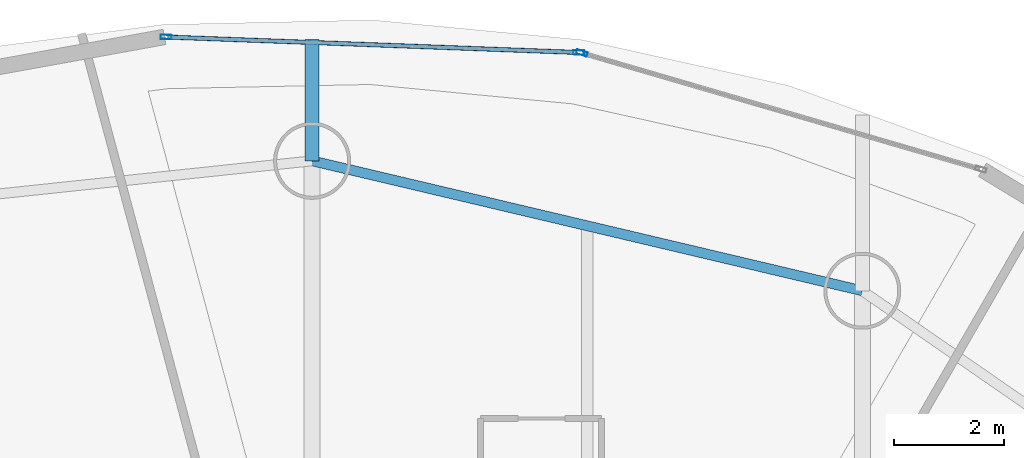
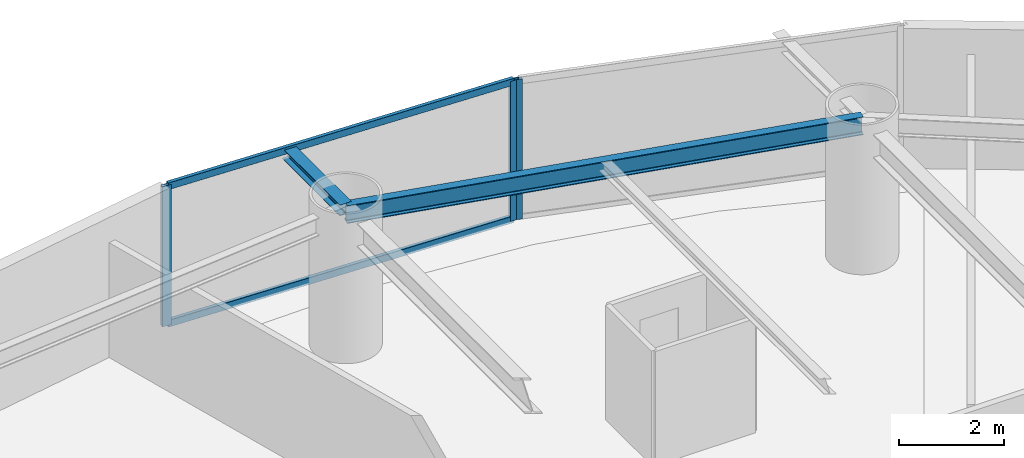
# One storey, part 13 of 22: 5 members, 2 beams, 2 elements without a shape of their own.
"""IFC4 building model written with IfcOpenShell, lengths in metres."""

from ifc_helpers import new_model, si_unit, direction, frame, origin, origin_2d, place, context, subcontext, project, spatial, hollow_rectangle, i_section, extrude, material, layer, layer_set, material_profile, profile_set, type_object, element, aggregate, save


model = new_model("IFC4")

# Units and contexts
model_context = context("Model", 3, precision=1e-05, world=origin(), true_north=direction((0.0, 1.0)))
body_context = subcontext(model_context, "Body", "Model", "MODEL_VIEW")
ifc_project = project(units=[si_unit("LENGTHUNIT", "METRE"), si_unit("AREAUNIT", "SQUARE_METRE"), si_unit("VOLUMEUNIT", "CUBIC_METRE"), si_unit("PLANEANGLEUNIT", "RADIAN"), si_unit("MASSUNIT", "GRAM", prefix="KILO")], contexts=[model_context])

# Site, building, storey
site_placement = place(None, origin())
site = spatial("IfcSite", under=ifc_project, at=site_placement, CompositionType="ELEMENT")
building_placement = place(site_placement, origin())
building = spatial("IfcBuilding", under=site, at=building_placement, Name="Bramvorn Convention Spire", CompositionType="ELEMENT")
storey_placement = place(building_placement, frame((0.0, 0.0, 127.300048828125)))
storey = spatial("IfcBuildingStorey", under=building, at=storey_placement, Name="L31", CompositionType="ELEMENT", Elevation=127.300048828125)

# Beams
ifc_material_1 = material(Name="Steel CSA G40.21 Grade 350 (350W)", Category="steel")
ifc_material_profile_1 = material_profile(ifc_material_1, i_section(OverallWidth=0.25390625, OverallDepth=0.2529296875, WebThickness=0.008544921875, FlangeThickness=0.01416015625, FilletRadius=0.011962890625, at=origin_2d()))
ifc_profile_set_1 = profile_set([ifc_material_profile_1], Name="Steel CSA G40.21 Grade 350 (350W) - W250X73")
beam_type_1 = type_object("IfcBeamType", Name="BM-W250X73", PredefinedType="BEAM", material=ifc_profile_set_1)
beam_1_placement = place(storey_placement, frame((36.075927734375, 46.517333984375, 3.133544921875), z_axis=(0.0, 1.0, 0.0), x_axis=(-1.0, 0.0, 0.0)))
element("IfcBeam", 1, at=beam_1_placement, inside=storey, type_object=beam_type_1, Name="L31 slab-edge cantilever tip beam MC06", PredefinedType="BEAM", context=body_context, shape_type="SweptSolid", body=[
    extrude(i_section(OverallWidth=0.25390625, OverallDepth=0.2529296875, WebThickness=0.008544921875, FlangeThickness=0.01416015625, FilletRadius=0.011962890625, at=origin_2d()), origin(), (0.0, 0.0, 1.0), 2.205810546875),
])
ifc_material_profile_2 = material_profile(ifc_material_1, i_section(OverallWidth=0.180908203125, OverallDepth=0.4169921875, WebThickness=0.010986328125, FlangeThickness=0.018310546875, FilletRadius=0.01611328125, at=origin_2d()))
ifc_profile_set_2 = profile_set([ifc_material_profile_2], Name="Steel CSA G40.21 Grade 350 (350W) - W410X85")
beam_type_2 = type_object("IfcBeamType", Name="BM-W410X85", PredefinedType="JOIST", material=ifc_profile_set_2)
beam_2_placement = place(storey_placement, frame((46.082763671875, 44.154052734375, 3.051513671875), z_axis=(-0.97322750491, 0.229843911572, 0.0), x_axis=(-0.229843911572, -0.97322750491, 0.0)))
element("IfcBeam", 2, at=beam_2_placement, inside=storey, type_object=beam_type_2, Name="L31 mega-column ring beam 05", PredefinedType="JOIST", context=body_context, shape_type="SweptSolid", body=[
    extrude(i_section(OverallWidth=0.180908203125, OverallDepth=0.4169921875, WebThickness=0.010986328125, FlangeThickness=0.018310546875, FilletRadius=0.01611328125, at=origin_2d()), origin(), (0.0, 0.0, 1.0), 10.2822265625),
])

# Curtain wall, member
ifc_material_2 = material(Name="Anodised Bronze Unitised Curtain Wall", Category="aluminium")
ifc_layer = layer(ifc_material_2, 0.179931640625)
ifc_layer_set = layer_set([ifc_layer], Name="Anodised Bronze Unitised Curtain Wall - CW-HTL-FRIT")
curtain_wall_type = type_object("IfcCurtainWallType", Name="CW-HTL-FRIT", PredefinedType="USERDEFINED", material=ifc_layer_set)
curtain_wall_1_placement = place(storey_placement, origin())
curtain_wall_1 = element("IfcCurtainWall", 3, at=curtain_wall_1_placement, inside=storey, type_object=curtain_wall_type, Name="L31 fritted glass curtain wall 07", ObjectType="UNITISED CURTAIN WALL", PredefinedType="USERDEFINED")
ifc_material_3 = material(Name="Anodised Bronze Aluminium 6063-T6", Category="aluminium")
ifc_material_profile_3 = material_profile(ifc_material_3, hollow_rectangle(XDim=0.080078125, YDim=0.199951171875, WallThickness=0.00390625, InnerFilletRadius=0.0009765625, OuterFilletRadius=0.00390625, at=origin_2d()))
ifc_profile_set_3 = profile_set([ifc_material_profile_3], Name="Anodised Bronze Aluminium 6063-T6 - CWM80X200")
member_type_1 = type_object("IfcMemberType", Name="CW-MUL-180", PredefinedType="MULLION", material=ifc_profile_set_3)
member_1_placement = place(storey_placement, frame((40.983154296875, 48.478515625, 0.0), z_axis=(0.0, 0.0, 1.0), x_axis=(0.279856327304, 0.960041892871, 0.0)))
member_1 = element("IfcMember", 4, at=member_1_placement, type_object=member_type_1, Name="CW2 mullion 1", PredefinedType="MULLION", context=body_context, shape_type="SweptSolid", body=[
    extrude(hollow_rectangle(XDim=0.080078125, YDim=0.199951171875, WallThickness=0.00390625, InnerFilletRadius=0.0009765625, OuterFilletRadius=0.00390625, at=origin_2d()), origin(), (0.0, 0.0, 1.0), 3.260009765625),
])
aggregate(curtain_wall_1, [member_1])

# Curtain wall, members
curtain_wall_2_placement = place(storey_placement, origin())
curtain_wall_2 = element("IfcCurtainWall", 5, at=curtain_wall_2_placement, inside=storey, type_object=curtain_wall_type, Name="L31 fritted glass curtain wall 08", ObjectType="UNITISED CURTAIN WALL", PredefinedType="USERDEFINED")
member_2_placement = place(storey_placement, frame((33.42041015625, 48.769775390625, 0.0), z_axis=(0.0, 0.0, 1.0), x_axis=(0.037520330185, 0.999295864508, 0.0)))
member_2 = element("IfcMember", 6, at=member_2_placement, type_object=member_type_1, Name="CW2 mullion 1", PredefinedType="MULLION", context=body_context, shape_type="SweptSolid", body=[
    extrude(hollow_rectangle(XDim=0.080078125, YDim=0.199951171875, WallThickness=0.00390625, InnerFilletRadius=0.0009765625, OuterFilletRadius=0.00390625, at=origin_2d()), origin(), (0.0, 0.0, 1.0), 3.260009765625),
])
member_3_placement = place(storey_placement, frame((40.92431640625, 48.488037109375, 0.0), z_axis=(0.0, 0.0, 1.0), x_axis=(0.037520330185, 0.999295864508, 0.0)))
member_3 = element("IfcMember", 7, at=member_3_placement, type_object=member_type_1, Name="CW2 mullion 2", PredefinedType="MULLION", context=body_context, shape_type="SweptSolid", body=[
    extrude(hollow_rectangle(XDim=0.080078125, YDim=0.199951171875, WallThickness=0.00390625, InnerFilletRadius=0.0009765625, OuterFilletRadius=0.00390625, at=origin_2d()), origin(), (0.0, 0.0, 1.0), 3.260009765625),
])
ifc_material_profile_4 = material_profile(ifc_material_3, hollow_rectangle(XDim=0.080078125, YDim=0.159912109375, WallThickness=0.00390625, InnerFilletRadius=0.0009765625, OuterFilletRadius=0.00390625, at=origin_2d()))
ifc_profile_set_4 = profile_set([ifc_material_profile_4], Name="Anodised Bronze Aluminium 6063-T6 - CWT80X160")
member_type_2 = type_object("IfcMemberType", Name="CW-TRN-150", PredefinedType="USERDEFINED", material=ifc_profile_set_4)
member_4_placement = place(storey_placement, frame((33.450439453125, 48.7685546875, 0.030029296875), z_axis=(0.999296894497, -0.037492887977, 0.0), x_axis=(0.037492887977, 0.999296894497, 0.0)))
member_4 = element("IfcMember", 8, at=member_4_placement, type_object=member_type_2, Name="CW2 transom 1.1", ObjectType="TRANSOM", PredefinedType="USERDEFINED", context=body_context, shape_type="SweptSolid", body=[
    extrude(hollow_rectangle(XDim=0.080078125, YDim=0.159912109375, WallThickness=0.00390625, InnerFilletRadius=0.0009765625, OuterFilletRadius=0.00390625, at=origin_2d()), origin(), (0.0, 0.0, 1.0), 7.44921875),
])
member_5_placement = place(storey_placement, frame((33.450439453125, 48.7685546875, 3.22998046875), z_axis=(0.999296894497, -0.037492887977, 0.0), x_axis=(0.037492887977, 0.999296894497, 0.0)))
member_5 = element("IfcMember", 9, at=member_5_placement, type_object=member_type_2, Name="CW2 transom 1.2", ObjectType="TRANSOM", PredefinedType="USERDEFINED", context=body_context, shape_type="SweptSolid", body=[
    extrude(hollow_rectangle(XDim=0.080078125, YDim=0.159912109375, WallThickness=0.00390625, InnerFilletRadius=0.0009765625, OuterFilletRadius=0.00390625, at=origin_2d()), origin(), (0.0, 0.0, 1.0), 7.44921875),
])
aggregate(curtain_wall_2, [member_2, member_3, member_4, member_5])

save(model, "model.ifc")
